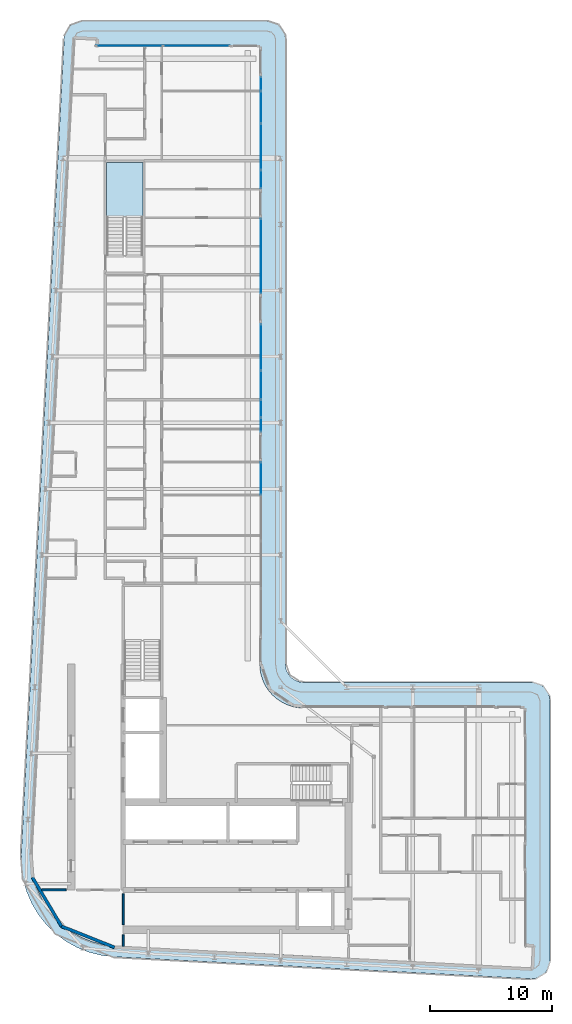
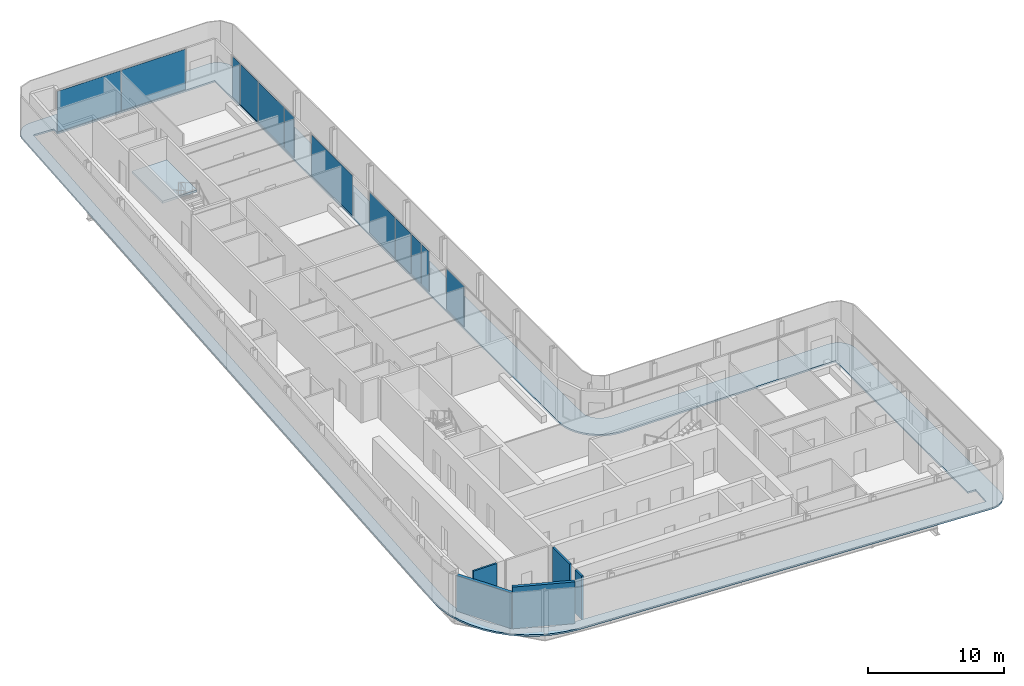
# One storey, part 10 of 21: 12 plates, 5 walls, 2 slabs, 8 elements without a shape of their own.
"""IFC4 building model written with IfcOpenShell, lengths in metres."""

from ifc_helpers import new_model, si_unit, direction, frame, frame_2d, origin, origin_2d, place, context, subcontext, project, spatial, polyline, rectangle, outline, extrude, material, layer, layer_set, type_object, element, aggregate, save


model = new_model("IFC4")

# Units and contexts
model_context = context("Model", 3, precision=1e-05, world=origin(), true_north=direction((0.0, 1.0)))
body_context = subcontext(model_context, "Body", "Model", "MODEL_VIEW")
ifc_project = project(units=[si_unit("LENGTHUNIT", "METRE"), si_unit("AREAUNIT", "SQUARE_METRE"), si_unit("VOLUMEUNIT", "CUBIC_METRE"), si_unit("PLANEANGLEUNIT", "RADIAN"), si_unit("MASSUNIT", "GRAM", prefix="KILO")], contexts=[model_context])

# Site, building, storey
site_placement = place(None, origin())
site = spatial("IfcSite", under=ifc_project, at=site_placement, CompositionType="ELEMENT")
building_placement = place(site_placement, origin())
building = spatial("IfcBuilding", under=site, at=building_placement, Name="Kheshtan School and Residences Tower", CompositionType="ELEMENT")
storey_placement = place(building_placement, frame((0.0, 0.0, 309.800048828125)))
storey = spatial("IfcBuildingStorey", under=building, at=storey_placement, Name="L73", CompositionType="ELEMENT", Elevation=309.800048828125)

# Curtain wall, plates
ifc_material_1 = material(Name="Clear low-e glass in thermally broken aluminium frame", Category="aluminium")
ifc_layer_1 = layer(ifc_material_1, 0.199951171875)
ifc_layer_set_1 = layer_set([ifc_layer_1], Name="Curtain wall CW-L")
curtain_wall_type = type_object("IfcCurtainWallType", Name="Curtain wall CW-L", PredefinedType="NOTDEFINED", material=ifc_layer_set_1)
curtain_wall_1_placement = place(storey_placement, origin())
curtain_wall_1 = element("IfcCurtainWall", 1, at=curtain_wall_1_placement, inside=storey, type_object=curtain_wall_type, Name="Curtain wall CWL7", PredefinedType="NOTDEFINED")
ifc_layer_2 = layer(ifc_material_1, 0.031982421875)
ifc_layer_set_2 = layer_set([ifc_layer_2], Name="CW-L glass panel")
plate_type = type_object("IfcPlateType", Name="CW-L glass panel", PredefinedType="CURTAIN_PANEL", material=ifc_layer_set_2)
plate_1_placement = place(storey_placement, frame((35.259033203125, 98.0, 0.0), z_axis=(0.0, 0.0, 1.0), x_axis=(1.0, 0.0, 0.0)))
plate_1 = element("IfcPlate", 2, at=plate_1_placement, type_object=plate_type, Name="CWL7 panel 1.1", PredefinedType="CURTAIN_PANEL", context=body_context, shape_type="SweptSolid", body=[
    extrude(rectangle(XDim=5.4140625, YDim=0.031982421875, at=origin_2d()), origin(), (0.0, 0.0, 1.0), 3.6298828125),
])
plate_2_placement = place(storey_placement, frame((40.73291015625, 98.0, 0.0), z_axis=(0.0, 0.0, 1.0), x_axis=(1.0, 0.0, 0.0)))
plate_2 = element("IfcPlate", 3, at=plate_2_placement, type_object=plate_type, Name="CWL7 panel 2.1", PredefinedType="CURTAIN_PANEL", context=body_context, shape_type="SweptSolid", body=[
    extrude(rectangle(XDim=5.4140625, YDim=0.031982421875, at=origin_2d()), origin(), (0.0, 0.0, 1.0), 3.6298828125),
])
aggregate(curtain_wall_1, [plate_1, plate_2])

curtain_wall_2_placement = place(storey_placement, origin())
curtain_wall_2 = element("IfcCurtainWall", 4, at=curtain_wall_2_placement, inside=storey, type_object=curtain_wall_type, Name="Curtain wall CWL8c", PredefinedType="NOTDEFINED")
plate_3_placement = place(storey_placement, frame((46.0, 94.885009765625, 0.0), z_axis=(0.0, 0.0, 1.0), x_axis=(0.0, -1.0, 0.0)))
plate_3 = element("IfcPlate", 5, at=plate_3_placement, type_object=plate_type, Name="CWL8c panel 1.1", PredefinedType="CURTAIN_PANEL", context=body_context, shape_type="SweptSolid", body=[
    extrude(rectangle(XDim=1.110107421875, YDim=0.031982421875, at=origin_2d()), origin(), (0.0, 0.0, 1.0), 3.6298828125),
])
plate_4_placement = place(storey_placement, frame((46.0, 92.9765625, 0.0), z_axis=(0.0, 0.0, 1.0), x_axis=(0.0, -1.0, 0.0)))
plate_4 = element("IfcPlate", 6, at=plate_4_placement, type_object=plate_type, Name="CWL8c panel 2.1", PredefinedType="CURTAIN_PANEL", context=body_context, shape_type="SweptSolid", body=[
    extrude(rectangle(XDim=2.5869140625, YDim=0.031982421875, at=origin_2d()), origin(), (0.0, 0.0, 1.0), 3.6298828125),
])
plate_5_placement = place(storey_placement, frame((46.0, 89.744384765625, 0.0), z_axis=(0.0, 0.0, 1.0), x_axis=(0.0, -1.0, 0.0)))
plate_5 = element("IfcPlate", 7, at=plate_5_placement, type_object=plate_type, Name="CWL8c panel 3.1", PredefinedType="CURTAIN_PANEL", context=body_context, shape_type="SweptSolid", body=[
    extrude(rectangle(XDim=3.757080078125, YDim=0.031982421875, at=origin_2d()), origin(), (0.0, 0.0, 1.0), 3.6298828125),
])
aggregate(curtain_wall_2, [plate_3, plate_4, plate_5])

# Curtain wall, plate
curtain_wall_3_placement = place(storey_placement, origin())
curtain_wall_3 = element("IfcCurtainWall", 8, at=curtain_wall_3_placement, inside=storey, type_object=curtain_wall_type, Name="Curtain wall CWL8a", PredefinedType="NOTDEFINED")
plate_6_placement = place(storey_placement, frame((46.0, 87.0859375, 0.0), z_axis=(0.0, 0.0, 1.0), x_axis=(0.0, -1.0, 0.0)))
plate_6 = element("IfcPlate", 9, at=plate_6_placement, type_object=plate_type, Name="CWL8a panel 1.1", PredefinedType="CURTAIN_PANEL", context=body_context, shape_type="SweptSolid", body=[
    extrude(rectangle(XDim=1.43994140625, YDim=0.031982421875, at=origin_2d()), origin(), (0.0, 0.0, 1.0), 3.6298828125),
])
aggregate(curtain_wall_3, [plate_6])

curtain_wall_4_placement = place(storey_placement, origin())
curtain_wall_4 = element("IfcCurtainWall", 10, at=curtain_wall_4_placement, inside=storey, type_object=curtain_wall_type, Name="Curtain wall CWL8d", PredefinedType="NOTDEFINED")
plate_7_placement = place(storey_placement, frame((46.0, 80.80908203125, 0.0), z_axis=(0.0, 0.0, 1.0), x_axis=(0.0, -1.0, 0.0)))
plate_7 = element("IfcPlate", 11, at=plate_7_placement, type_object=plate_type, Name="CWL8d panel 1.1", PredefinedType="CURTAIN_PANEL", context=body_context, shape_type="SweptSolid", body=[
    extrude(rectangle(XDim=6.073974609375, YDim=0.031982421875, at=origin_2d()), origin(), (0.0, 0.0, 1.0), 3.6298828125),
])
aggregate(curtain_wall_4, [plate_7])

# Curtain wall, plates
curtain_wall_5_placement = place(storey_placement, origin())
curtain_wall_5 = element("IfcCurtainWall", 12, at=curtain_wall_5_placement, inside=storey, type_object=curtain_wall_type, Name="Curtain wall CWL8c", PredefinedType="NOTDEFINED")
plate_8_placement = place(storey_placement, frame((46.0, 73.37353515625, 0.0), z_axis=(0.0, 0.0, 1.0), x_axis=(0.0, -1.0, 0.0)))
plate_8 = element("IfcPlate", 13, at=plate_8_placement, type_object=plate_type, Name="CWL8c panel 1.1", PredefinedType="CURTAIN_PANEL", context=body_context, shape_type="SweptSolid", body=[
    extrude(rectangle(XDim=3.757080078125, YDim=0.031982421875, at=origin_2d()), origin(), (0.0, 0.0, 1.0), 3.6298828125),
])
plate_9_placement = place(storey_placement, frame((46.0, 70.282470703125, 0.0), z_axis=(0.0, 0.0, 1.0), x_axis=(0.0, -1.0, 0.0)))
plate_9 = element("IfcPlate", 14, at=plate_9_placement, type_object=plate_type, Name="CWL8c panel 2.1", PredefinedType="CURTAIN_PANEL", context=body_context, shape_type="SweptSolid", body=[
    extrude(rectangle(XDim=2.304931640625, YDim=0.031982421875, at=origin_2d()), origin(), (0.0, 0.0, 1.0), 3.6298828125),
])
plate_10_placement = place(storey_placement, frame((46.0, 68.3740234375, 0.0), z_axis=(0.0, 0.0, 1.0), x_axis=(0.0, -1.0, 0.0)))
plate_10 = element("IfcPlate", 15, at=plate_10_placement, type_object=plate_type, Name="CWL8c panel 3.1", PredefinedType="CURTAIN_PANEL", context=body_context, shape_type="SweptSolid", body=[
    extrude(rectangle(XDim=1.39208984375, YDim=0.031982421875, at=origin_2d()), origin(), (0.0, 0.0, 1.0), 3.6298828125),
])
aggregate(curtain_wall_5, [plate_8, plate_9, plate_10])

# Curtain wall, plate
curtain_wall_6_placement = place(storey_placement, origin())
curtain_wall_6 = element("IfcCurtainWall", 16, at=curtain_wall_6_placement, inside=storey, type_object=curtain_wall_type, Name="Curtain wall CWL8g", PredefinedType="NOTDEFINED")
plate_11_placement = place(storey_placement, frame((46.0, 67.048095703125, 0.0), z_axis=(0.0, 0.0, 1.0), x_axis=(0.0, -1.0, 0.0)))
plate_11 = element("IfcPlate", 17, at=plate_11_placement, type_object=plate_type, Name="CWL8g panel 1.1", PredefinedType="CURTAIN_PANEL", context=body_context, shape_type="SweptSolid", body=[
    extrude(rectangle(XDim=1.139892578125, YDim=0.031982421875, at=origin_2d()), origin(), (0.0, 0.0, 1.0), 3.6298828125),
])
aggregate(curtain_wall_6, [plate_11])

curtain_wall_7_placement = place(storey_placement, origin())
curtain_wall_7 = element("IfcCurtainWall", 18, at=curtain_wall_7_placement, inside=storey, type_object=curtain_wall_type, Name="Curtain wall CWL8k", PredefinedType="NOTDEFINED")
plate_12_placement = place(storey_placement, frame((46.0, 62.64404296875, 0.0), z_axis=(0.0, 0.0, 1.0), x_axis=(0.0, -1.0, 0.0)))
plate_12 = element("IfcPlate", 19, at=plate_12_placement, type_object=plate_type, Name="CWL8k panel 1.1", PredefinedType="CURTAIN_PANEL", context=body_context, shape_type="SweptSolid", body=[
    extrude(rectangle(XDim=2.6279296875, YDim=0.031982421875, at=origin_2d()), origin(), (0.0, 0.0, 1.0), 3.6298828125),
])
aggregate(curtain_wall_7, [plate_12])

# Slab
ifc_material_2 = material(Name="Concrete C40/50", Category="concrete")
ifc_layer_3 = layer(ifc_material_2, 0.14990234375)
ifc_layer_set_3 = layer_set([ifc_layer_3], Name="Loggia balcony slab 150 Concrete C40/50")
slab_type_1 = type_object("IfcSlabType", Name="Loggia balcony slab 150 Concrete C40/50", PredefinedType="FLOOR", material=ifc_layer_set_3)
slab_1_placement = place(storey_placement, frame((0.0, 0.0, -0.150146484375)))
element("IfcSlab", 20, at=slab_1_placement, inside=storey, type_object=slab_type_1, Name="Loggia balcony slab L73", PredefinedType="FLOOR", context=body_context, shape_type="SweptSolid", body=[
    extrude(outline(polyline([(28.4580078125, 26.222900390625), (28.45703125, 26.222900390625), (28.45703125, 26.22412109375), (28.4560546875, 26.22412109375), (27.81494140625, 27.0390625), (27.281005859375, 27.93798828125), (26.867919921875, 28.89990234375), (26.583984375, 29.89990234375), (26.583984375, 29.906982421875), (26.43408203125, 30.943115234375), (26.419921875, 31.989013671875), (29.925048828125, 98.5791015625), (29.930908203125, 98.626953125), (29.930908203125, 98.6279296875), (29.929931640625, 98.6279296875), (29.929931640625, 98.62890625), (29.928955078125, 98.62890625), (29.928955078125, 98.6298828125), (29.927978515625, 98.6298828125), (29.927978515625, 98.631103515625), (29.927001953125, 98.631103515625), (29.927001953125, 98.632080078125), (29.927001953125, 98.633056640625), (29.945068359375, 98.781005859375), (29.945068359375, 98.783935546875), (29.945068359375, 98.784912109375), (29.946044921875, 98.784912109375), (29.946044921875, 98.785888671875), (29.947021484375, 98.785888671875), (29.947021484375, 98.787109375), (29.947998046875, 98.787109375), (29.948974609375, 98.787109375), (29.948974609375, 98.7880859375), (29.949951171875, 98.7880859375), (29.949951171875, 98.7890625), (29.949951171875, 98.791015625), (30.0029296875, 98.98388671875), (30.083984375, 99.175048828125), (30.18896484375, 99.35302734375), (30.31103515625, 99.507080078125), (30.31201171875, 99.507080078125), (30.31201171875, 99.508056640625), (30.31298828125, 99.508056640625), (30.31298828125, 99.509033203125), (30.31396484375, 99.509033203125), (30.31396484375, 99.510009765625), (30.31494140625, 99.510009765625), (30.31494140625, 99.510986328125), (30.31591796875, 99.510986328125), (30.31591796875, 99.511962890625), (30.31689453125, 99.511962890625), (30.31689453125, 99.512939453125), (30.318115234375, 99.512939453125), (30.320068359375, 99.512939453125), (30.321044921875, 99.512939453125), (30.321044921875, 99.513916015625), (30.468017578125, 99.656982421875), (30.468994140625, 99.656982421875), (30.468994140625, 99.657958984375), (30.469970703125, 99.657958984375), (30.469970703125, 99.658935546875), (30.470947265625, 99.658935546875), (30.470947265625, 99.659912109375), (30.471923828125, 99.659912109375), (30.471923828125, 99.660888671875), (30.472900390625, 99.660888671875), (30.472900390625, 99.662109375), (30.47412109375, 99.662109375), (30.47412109375, 99.6630859375), (30.47509765625, 99.6630859375), (30.47509765625, 99.6640625), (30.635986328125, 99.777099609375), (30.820068359375, 99.873046875), (31.007080078125, 99.943115234375), (31.013916015625, 99.943115234375), (31.217041015625, 99.986083984375), (31.423095703125, 100.0), (46.5, 100.0), (46.696044921875, 99.987060546875), (46.887939453125, 99.948974609375), (46.89501953125, 99.948974609375), (47.073974609375, 99.885986328125), (47.242919921875, 99.801025390625), (47.243896484375, 99.801025390625), (47.2470703125, 99.801025390625), (47.248046875, 99.801025390625), (47.248046875, 99.802001953125), (47.2490234375, 99.802001953125), (47.2490234375, 99.802978515625), (47.25, 99.802978515625), (47.2529296875, 99.802978515625), (47.25390625, 99.802978515625), (47.25390625, 99.802001953125), (47.2548828125, 99.802001953125), (47.2548828125, 99.801025390625), (47.256103515625, 99.801025390625), (47.256103515625, 99.800048828125), (47.257080078125, 99.800048828125), (47.257080078125, 99.799072265625), (47.258056640625, 99.799072265625), (47.258056640625, 99.798095703125), (47.412109375, 99.696044921875), (47.4130859375, 99.696044921875), (47.4130859375, 99.695068359375), (47.4140625, 99.695068359375), (47.4140625, 99.694091796875), (47.4140625, 99.68994140625), (47.4140625, 99.68896484375), (47.4150390625, 99.68896484375), (47.4150390625, 99.68798828125), (47.416015625, 99.68798828125), (47.416015625, 99.68701171875), (47.4169921875, 99.68701171875), (47.4169921875, 99.68603515625), (47.554931640625, 99.568115234375), (47.554931640625, 99.56689453125), (47.555908203125, 99.56689453125), (47.555908203125, 99.56591796875), (47.556884765625, 99.56591796875), (47.556884765625, 99.56494140625), (47.55810546875, 99.56494140625), (47.55810546875, 99.56396484375), (47.55908203125, 99.56396484375), (47.55908203125, 99.56298828125), (47.56005859375, 99.56298828125), (47.56005859375, 99.56201171875), (47.56103515625, 99.56201171875), (47.56201171875, 99.56103515625), (47.56201171875, 99.56005859375), (47.56298828125, 99.56005859375), (47.56298828125, 99.55908203125), (47.56396484375, 99.55908203125), (47.56396484375, 99.55810546875), (47.56494140625, 99.55810546875), (47.56494140625, 99.556884765625), (47.56591796875, 99.556884765625), (47.56591796875, 99.555908203125), (47.56689453125, 99.555908203125), (47.56689453125, 99.554931640625), (47.568115234375, 99.554931640625), (47.68505859375, 99.41796875), (47.68603515625, 99.41796875), (47.68603515625, 99.4169921875), (47.68701171875, 99.4169921875), (47.68701171875, 99.416015625), (47.68798828125, 99.416015625), (47.68798828125, 99.4150390625), (47.68896484375, 99.4150390625), (47.68896484375, 99.4140625), (47.68994140625, 99.4140625), (47.694091796875, 99.4140625), (47.695068359375, 99.4140625), (47.695068359375, 99.4130859375), (47.696044921875, 99.4130859375), (47.696044921875, 99.412109375), (47.797119140625, 99.259033203125), (47.798095703125, 99.259033203125), (47.798095703125, 99.258056640625), (47.799072265625, 99.258056640625), (47.799072265625, 99.257080078125), (47.800048828125, 99.257080078125), (47.800048828125, 99.256103515625), (47.801025390625, 99.256103515625), (47.801025390625, 99.2548828125), (47.802001953125, 99.2548828125), (47.802001953125, 99.25390625), (47.802978515625, 99.25390625), (47.802978515625, 99.2529296875), (47.802978515625, 99.25), (47.802978515625, 99.2490234375), (47.802001953125, 99.2490234375), (47.802001953125, 99.248046875), (47.801025390625, 99.248046875), (47.801025390625, 99.2470703125), (47.801025390625, 99.243896484375), (47.801025390625, 99.242919921875), (47.885986328125, 99.073974609375), (47.948974609375, 98.89501953125), (47.948974609375, 98.887939453125), (47.987060546875, 98.696044921875), (48.0, 98.5), (48.0, 47.5), (48.012939453125, 47.303955078125), (48.051025390625, 47.113037109375), (48.051025390625, 47.10693359375), (48.051025390625, 47.10595703125), (48.114013671875, 46.926025390625), (48.200927734375, 46.75), (48.31005859375, 46.5869140625), (48.431884765625, 46.444091796875), (48.43310546875, 46.444091796875), (48.43310546875, 46.443115234375), (48.43408203125, 46.443115234375), (48.43408203125, 46.44189453125), (48.43505859375, 46.44189453125), (48.43505859375, 46.44091796875), (48.43603515625, 46.44091796875), (48.43603515625, 46.43994140625), (48.43701171875, 46.43994140625), (48.43701171875, 46.43896484375), (48.43798828125, 46.43896484375), (48.43896484375, 46.43798828125), (48.43896484375, 46.43701171875), (48.43994140625, 46.43701171875), (48.43994140625, 46.43603515625), (48.44091796875, 46.43603515625), (48.44091796875, 46.43505859375), (48.44189453125, 46.43505859375), (48.44189453125, 46.43408203125), (48.443115234375, 46.43408203125), (48.443115234375, 46.43310546875), (48.444091796875, 46.43310546875), (48.444091796875, 46.431884765625), (48.5869140625, 46.31005859375), (48.75, 46.200927734375), (48.926025390625, 46.114013671875), (49.10595703125, 46.051025390625), (49.10693359375, 46.051025390625), (49.113037109375, 46.051025390625), (49.303955078125, 46.012939453125), (49.5, 46.0), (68.10009765625, 46.0), (68.2958984375, 45.987060546875), (68.488037109375, 45.948974609375), (68.4951171875, 45.948974609375), (68.674072265625, 45.885986328125), (68.842041015625, 45.801025390625), (68.843017578125, 45.801025390625), (68.846923828125, 45.801025390625), (68.847900390625, 45.801025390625), (68.847900390625, 45.802001953125), (68.84912109375, 45.802001953125), (68.84912109375, 45.802978515625), (68.85009765625, 45.802978515625), (68.85302734375, 45.802978515625), (68.85400390625, 45.802978515625), (68.85400390625, 45.802001953125), (68.85498046875, 45.802001953125), (68.85498046875, 45.801025390625), (68.85595703125, 45.801025390625), (68.85595703125, 45.800048828125), (68.85693359375, 45.800048828125), (68.85693359375, 45.799072265625), (68.85791015625, 45.799072265625), (68.85791015625, 45.798095703125), (68.85888671875, 45.798095703125), (68.85888671875, 45.797119140625), (68.860107421875, 45.797119140625), (68.860107421875, 45.7958984375), (69.011962890625, 45.696044921875), (69.012939453125, 45.696044921875), (69.012939453125, 45.695068359375), (69.013916015625, 45.695068359375), (69.013916015625, 45.694091796875), (69.013916015625, 45.68994140625), (69.013916015625, 45.68896484375), (69.014892578125, 45.68896484375), (69.014892578125, 45.68798828125), (69.01611328125, 45.68798828125), (69.01611328125, 45.68701171875), (69.01708984375, 45.68701171875), (69.01708984375, 45.68603515625), (69.01806640625, 45.68603515625), (69.01806640625, 45.68505859375), (69.01904296875, 45.68505859375), (69.01904296875, 45.68408203125), (69.155029296875, 45.568115234375), (69.155029296875, 45.56689453125), (69.156005859375, 45.56689453125), (69.156005859375, 45.56591796875), (69.156982421875, 45.56591796875), (69.156982421875, 45.56494140625), (69.157958984375, 45.56494140625), (69.157958984375, 45.56396484375), (69.158935546875, 45.56396484375), (69.158935546875, 45.56298828125), (69.159912109375, 45.56298828125), (69.159912109375, 45.56201171875), (69.160888671875, 45.56201171875), (69.162109375, 45.56103515625), (69.162109375, 45.56005859375), (69.1630859375, 45.56005859375), (69.1630859375, 45.55908203125), (69.1640625, 45.55908203125), (69.1640625, 45.55810546875), (69.1650390625, 45.55810546875), (69.1650390625, 45.556884765625), (69.166015625, 45.556884765625), (69.166015625, 45.555908203125), (69.1669921875, 45.555908203125), (69.1669921875, 45.554931640625), (69.16796875, 45.554931640625), (69.281982421875, 45.4208984375), (69.282958984375, 45.4208984375), (69.282958984375, 45.419921875), (69.283935546875, 45.419921875), (69.283935546875, 45.4189453125), (69.284912109375, 45.4189453125), (69.284912109375, 45.41796875), (69.285888671875, 45.41796875), (69.285888671875, 45.4169921875), (69.287109375, 45.4169921875), (69.287109375, 45.416015625), (69.2880859375, 45.416015625), (69.2880859375, 45.4150390625), (69.2890625, 45.4150390625), (69.2890625, 45.4140625), (69.2900390625, 45.4140625), (69.2939453125, 45.4140625), (69.294921875, 45.4140625), (69.294921875, 45.4130859375), (69.2958984375, 45.4130859375), (69.2958984375, 45.412109375), (69.39404296875, 45.261962890625), (69.39501953125, 45.261962890625), (69.39501953125, 45.260986328125), (69.39599609375, 45.260986328125), (69.39599609375, 45.260009765625), (69.39697265625, 45.260009765625), (69.39697265625, 45.259033203125), (69.39794921875, 45.259033203125), (69.39794921875, 45.258056640625), (69.39892578125, 45.258056640625), (69.39892578125, 45.257080078125), (69.39990234375, 45.257080078125), (69.39990234375, 45.256103515625), (69.40087890625, 45.256103515625), (69.40087890625, 45.2548828125), (69.402099609375, 45.2548828125), (69.402099609375, 45.25390625), (69.403076171875, 45.25390625), (69.403076171875, 45.2529296875), (69.403076171875, 45.25), (69.403076171875, 45.2490234375), (69.402099609375, 45.2490234375), (69.402099609375, 45.248046875), (69.40087890625, 45.248046875), (69.40087890625, 45.2470703125), (69.40087890625, 45.240966796875), (69.40087890625, 45.239990234375), (69.486083984375, 45.073974609375), (69.549072265625, 44.89501953125), (69.549072265625, 44.887939453125), (69.5869140625, 44.696044921875), (69.60009765625, 44.5), (69.60009765625, 23.285888671875), (69.5859375, 23.083984375), (69.544921875, 22.885009765625), (69.544921875, 22.8779296875), (69.47802734375, 22.694091796875), (69.385986328125, 22.513916015625), (69.27099609375, 22.347900390625), (69.27099609375, 22.346923828125), (69.27099609375, 22.345947265625), (69.27099609375, 22.344970703125), (69.27197265625, 22.344970703125), (69.27197265625, 22.343994140625), (69.27197265625, 22.342041015625), (69.27197265625, 22.341064453125), (69.27099609375, 22.341064453125), (69.27099609375, 22.340087890625), (69.137939453125, 22.197021484375), (69.135009765625, 22.194091796875), (69.134033203125, 22.194091796875), (69.134033203125, 22.193115234375), (69.133056640625, 22.193115234375), (69.131103515625, 22.193115234375), (69.1298828125, 22.193115234375), (69.1298828125, 22.194091796875), (69.12890625, 22.194091796875), (69.1279296875, 22.194091796875), (69.126953125, 22.194091796875), (68.97607421875, 22.069091796875), (68.803955078125, 21.9619140625), (68.618896484375, 21.87890625), (68.430908203125, 21.822021484375), (68.424072265625, 21.822021484375), (68.22412109375, 21.791015625), (68.02099609375, 21.7880859375), (33.989013671875, 23.580078125), (33.94189453125, 23.5859375), (33.94091796875, 23.5859375), (33.93994140625, 23.5859375), (33.93994140625, 23.5849609375), (33.93896484375, 23.5849609375), (33.93896484375, 23.583984375), (33.93798828125, 23.583984375), (33.93798828125, 23.5830078125), (33.93701171875, 23.5830078125), (33.93701171875, 23.58203125), (33.93603515625, 23.58203125), (33.93505859375, 23.58203125), (32.952880859375, 23.697998046875), (32.949951171875, 23.697998046875), (32.948974609375, 23.697998046875), (32.948974609375, 23.698974609375), (32.947998046875, 23.698974609375), (32.947998046875, 23.699951171875), (32.947021484375, 23.699951171875), (32.947021484375, 23.700927734375), (32.947021484375, 23.702880859375), (32.947021484375, 23.7041015625), (32.946044921875, 23.7041015625), (32.946044921875, 23.705078125), (32.945068359375, 23.705078125), (32.944091796875, 23.705078125), (31.93603515625, 23.9609375), (31.928955078125, 23.9609375), (30.964111328125, 24.34912109375), (30.051025390625, 24.860107421875), (29.218994140625, 25.47900390625), (29.218994140625, 25.47998046875), (29.218017578125, 25.47998046875), (29.218017578125, 25.48095703125), (29.217041015625, 25.48095703125), (29.217041015625, 25.48193359375), (29.216064453125, 25.48193359375), (29.216064453125, 25.48291015625), (29.215087890625, 25.48291015625), (29.215087890625, 25.48388671875), (29.214111328125, 25.48388671875), (29.214111328125, 25.485107421875), (29.212890625, 25.485107421875), (29.212890625, 25.486083984375), (29.2119140625, 25.486083984375), (28.466064453125, 26.217041015625), (28.466064453125, 26.218017578125), (28.465087890625, 26.218017578125), (28.462890625, 26.218017578125), (28.4619140625, 26.218017578125), (28.4619140625, 26.218994140625), (28.4609375, 26.218994140625), (28.4609375, 26.219970703125), (28.4599609375, 26.219970703125), (28.4599609375, 26.220947265625), (28.458984375, 26.220947265625), (28.458984375, 26.221923828125), (28.4580078125, 26.221923828125), (28.4580078125, 26.222900390625)]), holes=[polyline([(29.12890625, 26.824951171875), (29.12890625, 26.823974609375), (29.1298828125, 26.823974609375), (29.1298828125, 26.822998046875), (29.131103515625, 26.822998046875), (29.131103515625, 26.822021484375), (29.132080078125, 26.822021484375), (29.132080078125, 26.821044921875), (29.133056640625, 26.821044921875), (29.133056640625, 26.820068359375), (29.134033203125, 26.820068359375), (29.794921875, 26.173095703125), (29.794921875, 26.172119140625), (29.7958984375, 26.172119140625), (29.798095703125, 26.172119140625), (29.799072265625, 26.172119140625), (29.799072265625, 26.1708984375), (29.800048828125, 26.1708984375), (29.800048828125, 26.169921875), (29.801025390625, 26.169921875), (29.801025390625, 26.1689453125), (29.802001953125, 26.1689453125), (29.802001953125, 26.16796875), (29.802978515625, 26.16796875), (29.802978515625, 26.1669921875), (29.803955078125, 26.1669921875), (29.803955078125, 26.166015625), (30.541015625, 25.616943359375), (31.35205078125, 25.1630859375), (32.208984375, 24.819091796875), (32.2099609375, 24.819091796875), (32.216064453125, 24.819091796875), (33.114990234375, 24.590087890625), (34.06591796875, 24.47705078125), (68.0380859375, 22.68798828125), (68.06494140625, 22.68896484375), (68.06591796875, 22.68896484375), (68.06689453125, 22.68896484375), (68.06689453125, 22.68994140625), (68.068115234375, 22.68994140625), (68.068115234375, 22.69091796875), (68.068115234375, 22.69189453125), (68.157958984375, 24.381103515625), (68.157958984375, 24.382080078125), (68.157958984375, 24.383056640625), (68.156982421875, 24.383056640625), (68.156982421875, 24.384033203125), (68.156005859375, 24.384033203125), (68.155029296875, 24.384033203125), (67.5009765625, 24.4189453125), (67.5, 24.4189453125), (67.5, 24.419921875), (67.5, 43.89794921875), (67.5, 43.89892578125), (67.4990234375, 43.89892578125), (67.4990234375, 43.89990234375), (67.498046875, 43.89990234375), (49.429931640625, 43.89990234375), (49.030029296875, 43.927001953125), (48.569091796875, 44.01806640625), (48.56201171875, 44.01806640625), (48.1201171875, 44.169921875), (47.697021484375, 44.37890625), (47.30810546875, 44.638916015625), (46.95703125, 44.944091796875), (46.95703125, 44.945068359375), (46.9560546875, 44.945068359375), (46.9560546875, 44.946044921875), (46.955078125, 44.946044921875), (46.955078125, 44.947021484375), (46.9541015625, 44.947021484375), (46.9541015625, 44.947998046875), (46.952880859375, 44.947998046875), (46.952880859375, 44.948974609375), (46.951904296875, 44.948974609375), (46.951904296875, 44.949951171875), (46.951904296875, 44.950927734375), (46.950927734375, 44.950927734375), (46.950927734375, 44.951904296875), (46.949951171875, 44.951904296875), (46.948974609375, 44.951904296875), (46.948974609375, 44.952880859375), (46.947998046875, 44.952880859375), (46.947998046875, 44.9541015625), (46.947021484375, 44.9541015625), (46.947021484375, 44.955078125), (46.946044921875, 44.955078125), (46.946044921875, 44.9560546875), (46.945068359375, 44.9560546875), (46.945068359375, 44.95703125), (46.944091796875, 44.95703125), (46.638916015625, 45.30810546875), (46.37890625, 45.697021484375), (46.169921875, 46.1201171875), (46.01806640625, 46.56201171875), (46.01806640625, 46.569091796875), (45.927001953125, 47.030029296875), (45.89990234375, 47.429931640625), (45.89990234375, 97.89794921875), (45.89990234375, 97.89892578125), (45.89892578125, 97.89892578125), (45.89892578125, 97.89990234375), (45.89794921875, 97.89990234375), (32.492919921875, 97.89990234375), (32.491943359375, 97.89990234375), (32.52099609375, 98.43896484375), (32.52099609375, 98.43994140625), (32.52099609375, 98.44091796875), (32.52001953125, 98.44091796875), (32.52001953125, 98.44189453125), (32.51904296875, 98.44189453125), (32.51806640625, 98.44189453125), (30.8291015625, 98.531982421875), (30.827880859375, 98.531982421875), (30.826904296875, 98.531982421875), (30.826904296875, 98.531005859375), (30.825927734375, 98.531005859375), (30.825927734375, 98.530029296875), (30.825927734375, 98.529052734375), (30.822021484375, 98.5009765625), (27.320068359375, 31.970947265625), (27.3330078125, 31.013916015625), (27.466064453125, 30.093994140625), (27.466064453125, 30.087890625), (27.466064453125, 30.0869140625), (27.718017578125, 29.200927734375), (28.0849609375, 28.345947265625), (28.55908203125, 27.550048828125), (29.126953125, 26.825927734375), (29.1279296875, 26.825927734375), (29.1279296875, 26.824951171875), (29.12890625, 26.824951171875)])]), origin(), (0.0, 0.0, 1.0), 0.150146484375),
])

# Stair, slab
stair_type = type_object("IfcStairType", Name="Exit stair, half-turn", PredefinedType="HALF_TURN_STAIR", material=ifc_material_2)
stair_placement = place(storey_placement, origin())
stair = element("IfcStair", 21, at=stair_placement, inside=storey, type_object=stair_type, Name="L73 Protected Exit Stair ST3", PredefinedType="HALF_TURN_STAIR")
ifc_layer_4 = layer(ifc_material_2, 0.199951171875)
ifc_layer_set_4 = layer_set([ifc_layer_4], Name="Stair landing 200 Concrete C40/50")
slab_type_2 = type_object("IfcSlabType", Name="Stair landing 200 Concrete C40/50", PredefinedType="LANDING", material=ifc_layer_set_4)
slab_2_placement = place(storey_placement, frame((0.0, 0.0, 1.75)))
slab_2 = element("IfcSlab", 22, at=slab_2_placement, type_object=slab_type_2, Name="ST3 landing 1", PredefinedType="LANDING", context=body_context, shape_type="SweptSolid", body=[
    extrude(outline(polyline([(36.35009765625, 83.97998046875), (36.35009765625, 88.4599609375), (33.39990234375, 88.4599609375), (33.39990234375, 83.97998046875), (36.35009765625, 83.97998046875)])), origin(), (0.0, 0.0, 1.0), 0.199951171875),
])
aggregate(stair, [slab_2])

# Walls
ifc_material_3 = material(Name="Concrete C40/50 with ceramic cladding and mineral wool insulation", Category="concrete")
ifc_layer_5 = layer(ifc_material_3, 0.25)
ifc_layer_set_5 = layer_set([ifc_layer_5], Name="External wall 250 ceramic clad")
wall_type_1 = type_object("IfcWallType", Name="External wall 250 ceramic clad", PredefinedType="SOLIDWALL", material=ifc_layer_set_5)
wall_1_placement = place(storey_placement, frame((34.0390625, 24.35302734375, 0.0), z_axis=(0.0, 0.0, 1.0), x_axis=(-0.929352825399, 0.369192803184, 0.0)))
element("IfcWall", 23, at=wall_1_placement, inside=storey, type_object=wall_type_1, Name="External wall L73 1", PredefinedType="SOLIDWALL", context=body_context, shape_type="SweptSolid", body=[
    extrude(rectangle(XDim=4.656005859375, YDim=0.25, at=frame_2d((2.328125, 0.0))), origin(), (0.0, 0.0, 1.0), 3.75),
])
wall_2_placement = place(storey_placement, frame((29.7119140625, 26.072021484375, 0.0), z_axis=(0.0, 0.0, 1.0), x_axis=(-0.511028049012, 0.859564036662, 0.0)))
element("IfcWall", 24, at=wall_2_placement, inside=storey, type_object=wall_type_1, Name="External wall L73 2", PredefinedType="SOLIDWALL", context=body_context, shape_type="SweptSolid", body=[
    extrude(rectangle(XDim=4.633544921875, YDim=0.25, at=frame_2d((2.31689453125, 0.0))), origin(), (0.0, 0.0, 1.0), 3.217041015625),
])
ifc_material_4 = material(Name="Fire-board shaft wall system")
ifc_layer_6 = layer(ifc_material_4, 0.14990234375)
ifc_layer_set_6 = layer_set([ifc_layer_6], Name="Service room wall 150")
wall_type_2 = type_object("IfcWallType", Name="Service room wall 150", PredefinedType="PARTITIONING", material=ifc_layer_set_6)
wall_3_placement = place(storey_placement, frame((34.75, 24.444091796875, 0.0), z_axis=(0.0, 0.0, 1.0), x_axis=(0.0, 1.0, 0.0)))
element("IfcWall", 25, at=wall_3_placement, inside=storey, type_object=wall_type_2, Name="Service room wall", PredefinedType="PARTITIONING", context=body_context, shape_type="SweptSolid", body=[
    extrude(rectangle(XDim=0.935791015625, YDim=0.14990234375, at=frame_2d((0.4677734375, 0.0))), origin(), (0.0, 0.0, 1.0), 3.89990234375),
])
wall_4_placement = place(storey_placement, frame((34.75, 26.219970703125, 0.0), z_axis=(0.0, 0.0, 1.0), x_axis=(0.0, 1.0, 0.0)))
element("IfcWall", 26, at=wall_4_placement, inside=storey, type_object=wall_type_2, Name="Service room wall", PredefinedType="PARTITIONING", context=body_context, shape_type="SweptSolid", body=[
    extrude(rectangle(XDim=2.510009765625, YDim=0.14990234375, at=frame_2d((1.2548828125, 0.0))), origin(), (0.0, 0.0, 1.0), 3.89990234375),
])
wall_5_placement = place(storey_placement, frame((28.089111328125, 29.050048828125, 0.0), z_axis=(0.0, 0.0, 1.0), x_axis=(1.0, 0.0, 0.0)))
element("IfcWall", 27, at=wall_5_placement, inside=storey, type_object=wall_type_2, Name="Service room wall", PredefinedType="PARTITIONING", context=body_context, shape_type="SweptSolid", body=[
    extrude(rectangle(XDim=1.990966796875, YDim=0.14990234375, at=frame_2d((0.99560546875, 0.0))), origin(), (0.0, 0.0, 1.0), 3.89990234375),
])

save(model, "model.ifc")
